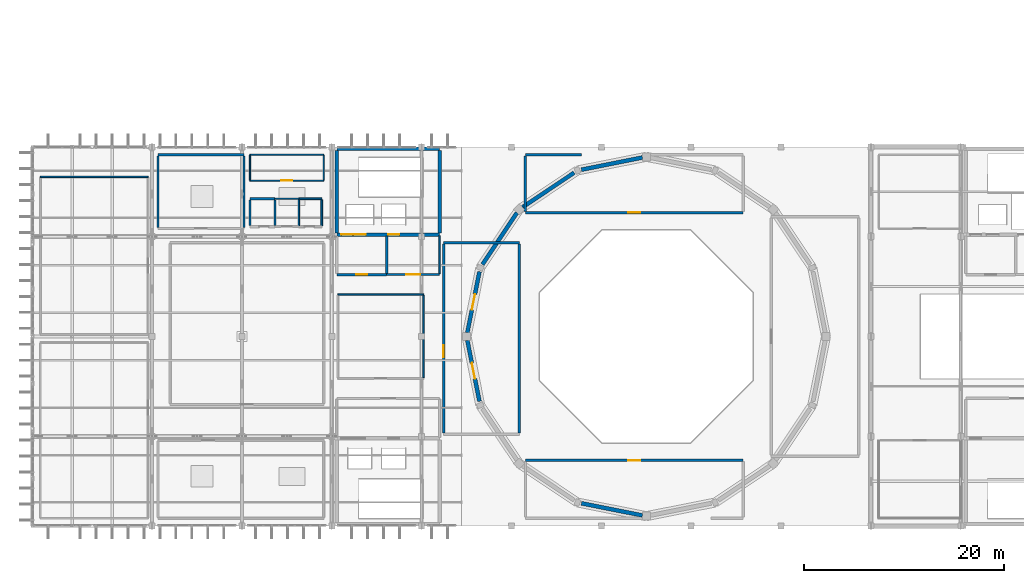
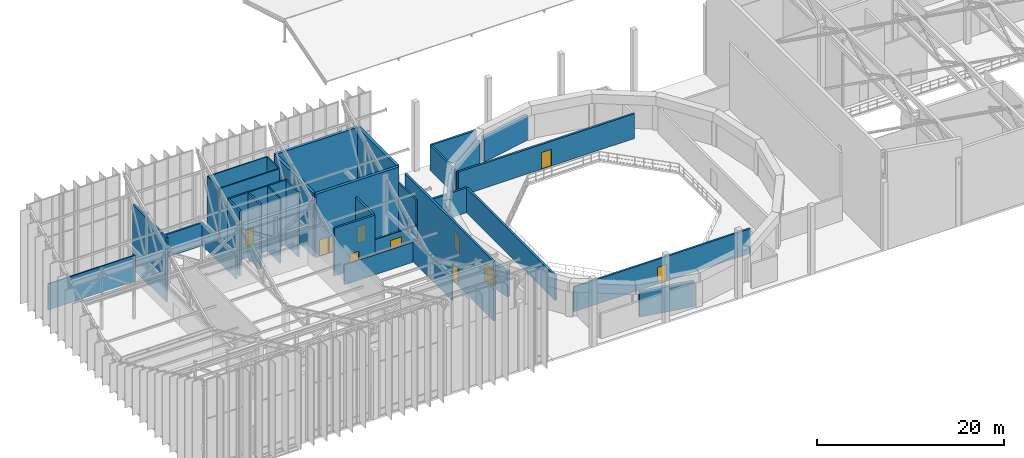
# One storey, part 62 of 68: 38 walls, 11 doors, 11 openings.
"""IFC4 building model written with IfcOpenShell, lengths in metres."""

from ifc_helpers import new_model, si_unit, direction, frame, frame_2d, origin, place, context, subcontext, project, spatial, rectangle, extrude, material, layer, layer_set, type_object, element, fill, save


model = new_model("IFC4")

# Units and contexts
model_context = context("Model", 3, precision=1e-05, world=origin(), true_north=direction((0.0, 1.0)))
body_context = subcontext(model_context, "Body", "Model", "MODEL_VIEW")
ifc_project = project(units=[si_unit("LENGTHUNIT", "METRE"), si_unit("AREAUNIT", "SQUARE_METRE"), si_unit("VOLUMEUNIT", "CUBIC_METRE"), si_unit("PLANEANGLEUNIT", "RADIAN"), si_unit("MASSUNIT", "GRAM", prefix="KILO")], contexts=[model_context])

# Site, building, storey
site_placement = place(None, origin())
site = spatial("IfcSite", under=ifc_project, at=site_placement, CompositionType="ELEMENT")
building_placement = place(site_placement, origin())
building = spatial("IfcBuilding", under=site, at=building_placement, Name="Miravela Opera House", CompositionType="ELEMENT")
storey_placement = place(building_placement, frame((0.0, 0.0, 21.760009765625)))
storey = spatial("IfcBuildingStorey", under=building, at=storey_placement, Name="L05", CompositionType="ELEMENT", Elevation=21.760009765625)

# Walls
ifc_material_1 = material(Name="Sanitary chase acoustic plumbing wall")
ifc_layer_1 = layer(ifc_material_1, 0.139892578125)
ifc_layer_set_1 = layer_set([ifc_layer_1])
wall_type_1 = type_object("IfcWallType", Name="ARC-PLW-150", PredefinedType="PLUMBINGWALL", material=ifc_layer_set_1)
wall_1_placement = place(storey_placement, frame((39.300048828125, 69.800048828125, 0.0), z_axis=(0.0, 0.0, 1.0), x_axis=(1.0, 0.0, 0.0)))
element("IfcWall", 1, at=wall_1_placement, inside=storey, type_object=wall_type_1, Name="Female Public WC L05 Partition North", PredefinedType="PLUMBINGWALL", context=body_context, shape_type="SweptSolid", body=[
    extrude(rectangle(XDim=2.39990234375, YDim=0.139892578125, at=frame_2d((1.199951171875, 0.0))), origin(), (0.0, 0.0, 1.0), 8.5205078125),
])
wall_2_placement = place(storey_placement, frame((41.699951171875, 67.070068359375, 0.0), z_axis=(0.0, 0.0, 1.0), x_axis=(0.0, 1.0, 0.0)))
element("IfcWall", 2, at=wall_2_placement, inside=storey, type_object=wall_type_1, Name="Female Public WC L05 Partition East", PredefinedType="PLUMBINGWALL", context=body_context, shape_type="SweptSolid", body=[
    extrude(rectangle(XDim=2.659912109375, YDim=0.139892578125, at=frame_2d((1.330078125, 0.0))), origin(), (0.0, 0.0, 1.0), 8.5205078125),
])
ifc_material_2 = material(Name="Public washroom wet-service chase wall")
ifc_layer_2 = layer(ifc_material_2, 0.179931640625)
ifc_layer_set_2 = layer_set([ifc_layer_2])
wall_type_2 = type_object("IfcWallType", Name="ARC-PLW-180", PredefinedType="PLUMBINGWALL", material=ifc_layer_set_2)
wall_3_placement = place(storey_placement, frame((41.699951171875, 69.800048828125, 0.0), z_axis=(0.0, 0.0, 1.0), x_axis=(1.0, 0.0, 0.0)))
element("IfcWall", 3, at=wall_3_placement, inside=storey, type_object=wall_type_2, Name="Male Public WC L05 Partition North", PredefinedType="PLUMBINGWALL", context=body_context, shape_type="SweptSolid", body=[
    extrude(rectangle(XDim=2.300048828125, YDim=0.179931640625, at=frame_2d((1.14990234375, 0.0))), origin(), (0.0, 0.0, 1.0), 8.5205078125),
])
wall_4_placement = place(storey_placement, frame((44.0, 67.090087890625, 0.0), z_axis=(0.0, 0.0, 1.0), x_axis=(0.0, 1.0, 0.0)))
element("IfcWall", 4, at=wall_4_placement, inside=storey, type_object=wall_type_2, Name="Male Public WC L05 Partition East", PredefinedType="PLUMBINGWALL", context=body_context, shape_type="SweptSolid", body=[
    extrude(rectangle(XDim=2.619873046875, YDim=0.179931640625, at=frame_2d((1.31005859375, 0.0))), origin(), (0.0, 0.0, 1.0), 8.5205078125),
])
ifc_material_3 = material(Name="Dressing suite sanitary chase wall")
ifc_layer_3 = layer(ifc_material_3, 0.219970703125)
ifc_layer_set_3 = layer_set([ifc_layer_3])
wall_type_3 = type_object("IfcWallType", Name="ARC-PLW-215", PredefinedType="PLUMBINGWALL", material=ifc_layer_set_3)
wall_5_placement = place(storey_placement, frame((36.800048828125, 69.800048828125, 0.0), z_axis=(0.0, 0.0, 1.0), x_axis=(1.0, 0.0, 0.0)))
element("IfcWall", 5, at=wall_5_placement, inside=storey, type_object=wall_type_3, Name="Accessible WC L05 Partition North", PredefinedType="PLUMBINGWALL", context=body_context, shape_type="SweptSolid", body=[
    extrude(rectangle(XDim=2.5, YDim=0.219970703125, at=frame_2d((1.25, 0.0))), origin(), (0.0, 0.0, 1.0), 8.5205078125),
])
for number, where, z_axis, x_axis, name in (
    (6, (36.800048828125, 67.110107421875, 0.0), (0.0, 0.0, 1.0), (0.0, 1.0, 0.0), "Accessible WC L05 Partition West"),
    (7, (39.300048828125, 67.110107421875, 0.0), (0.0, 0.0, 1.0), (0.0, 1.0, 0.0), "Accessible WC L05 Partition East"),
):
    element("IfcWall", number, at=place(storey_placement, frame(where, z_axis=z_axis, x_axis=x_axis)), inside=storey, type_object=wall_type_3, Name=name, PredefinedType="PLUMBINGWALL", context=body_context, shape_type="SweptSolid", body=[
        extrude(rectangle(XDim=2.579833984375, YDim=0.219970703125, at=frame_2d((1.2900390625, 0.0))), origin(), (0.0, 0.0, 1.0), 8.5205078125),
    ])

# Wall, opening, door
ifc_material_4 = material(Name="Fire-rated acoustic gypsum partition")
ifc_layer_4 = layer(ifc_material_4, 0.1298828125)
ifc_layer_set_4 = layer_set([ifc_layer_4])
wall_type_4 = type_object("IfcWallType", Name="ARC-PT-130", PredefinedType="PARTITIONING", material=ifc_layer_set_4)
wall_6_placement = place(storey_placement, frame((36.800048828125, 71.60009765625, 0.0), z_axis=(0.0, 0.0, 1.0), x_axis=(1.0, 0.0, 0.0)))
wall_6 = element("IfcWall", 8, at=wall_6_placement, inside=storey, type_object=wall_type_4, Name="Historical Costume Sketch Reading Room Partition South", PredefinedType="PARTITIONING", context=body_context, shape_type="SweptSolid", body=[
    extrude(rectangle(XDim=7.39990234375, YDim=0.1298828125, at=frame_2d((3.699951171875, 0.0))), origin(), (0.0, 0.0, 1.0), 8.780029296875),
])
opening_1_placement = place(wall_6_placement, frame((3.14990234375, 0.0, 0.0)))
opening_1 = element("IfcOpeningElement", 9, at=opening_1_placement, cuts=wall_6, Name="Opening ID-03", PredefinedType="OPENING", context=body_context, shape_type="SweptSolid", body=[
    extrude(rectangle(XDim=1.10009765625, YDim=2.199951171875, at=frame_2d((0.550048828125, 1.10009765625))), frame((0.0, 0.074951171875, 0.0), z_axis=(0.0, -1.0, 0.0), x_axis=(1.0, 0.0, 0.0)), (0.0, 0.0, 1.0), 0.14990234375),
])
ifc_material_5 = material(Name="Acoustic hardwood studio door", Category="wood")
door_type_1 = type_object("IfcDoorType", Name="ARC-DR-1100X2200", OperationType="NOTDEFINED", PredefinedType="DOOR", material=ifc_material_5)
door_1_placement = place(opening_1_placement, frame((1.10009765625, 0.0, 0.0), z_axis=(0.0, 0.0, 1.0), x_axis=(-1.0, 0.0, 0.0)))
door_1 = element("IfcDoor", 10, at=door_1_placement, inside=storey, type_object=door_type_1, Name="Historical Costume Sketch Reading Room Entry Door IDR-L05-0345", OperationType="SINGLE_SWING_RIGHT", OverallHeight=2.199951171875, OverallWidth=1.10009765625, PredefinedType="DOOR", context=body_context, shape_type="SweptSolid", body=[
    extrude(rectangle(XDim=1.10009765625, YDim=2.199951171875, at=frame_2d((0.550048828125, 1.10009765625))), frame((0.0, 0.02490234375, 0.0), z_axis=(0.0, -1.0, 0.0), x_axis=(1.0, 0.0, 0.0)), (0.0, 0.0, 1.0), 0.050048828125),
])
fill(opening_1, door_1)

# Walls
wall_7_placement = place(storey_placement, frame((36.800048828125, 74.199951171875, 0.0), z_axis=(0.0, 0.0, 1.0), x_axis=(1.0, 0.0, 0.0)))
element("IfcWall", 11, at=wall_7_placement, inside=storey, type_object=wall_type_4, Name="Historical Costume Sketch Reading Room Partition North", PredefinedType="PARTITIONING", context=body_context, shape_type="SweptSolid", body=[
    extrude(rectangle(XDim=7.39990234375, YDim=0.1298828125, at=frame_2d((3.699951171875, 0.0))), origin(), (0.0, 0.0, 1.0), 8.780029296875),
])
for number, where, z_axis, x_axis, name in (
    (12, (36.800048828125, 71.6650390625, 0.0), (0.0, 0.0, 1.0), (0.0, 1.0, 0.0), "Historical Costume Sketch Reading Room Partition West"),
    (13, (44.199951171875, 71.6650390625, 0.0), (0.0, 0.0, 1.0), (0.0, 1.0, 0.0), "Historical Costume Sketch Reading Room Partition East"),
):
    element("IfcWall", number, at=place(storey_placement, frame(where, z_axis=z_axis, x_axis=x_axis)), inside=storey, type_object=wall_type_4, Name=name, PredefinedType="PARTITIONING", context=body_context, shape_type="SweptSolid", body=[
        extrude(rectangle(XDim=2.469970703125, YDim=0.1298828125, at=frame_2d((1.23486328125, 0.0))), origin(), (0.0, 0.0, 1.0), 8.780029296875),
    ])
ifc_material_6 = material(Name="Studio double-stud acoustic partition")
ifc_layer_5 = layer(ifc_material_6, 0.14990234375)
ifc_layer_set_5 = layer_set([ifc_layer_5])
wall_type_5 = type_object("IfcWallType", Name="ARC-PT-145", PredefinedType="PARTITIONING", material=ifc_layer_set_5)
wall_8_placement = place(storey_placement, frame((15.800048828125, 72.0, 0.0), z_axis=(0.0, 0.0, 1.0), x_axis=(1.0, 0.0, 0.0)))
element("IfcWall", 14, at=wall_8_placement, inside=storey, type_object=wall_type_5, Name="Archival Libretto Reading Room Partition North", PredefinedType="PARTITIONING", context=body_context, shape_type="SweptSolid", body=[
    extrude(rectangle(XDim=10.800048828125, YDim=0.14990234375, at=frame_2d((5.39990234375, 0.0))), origin(), (0.0, 0.0, 1.0), 3.40478515625),
])
wall_9_placement = place(storey_placement, frame((45.60009765625, 60.199951171875, 0.0), z_axis=(0.0, 0.0, 1.0), x_axis=(1.0, 0.0, 0.0)))
element("IfcWall", 15, at=wall_9_placement, inside=storey, type_object=wall_type_5, Name="Stage Automation Archive Office Partition North", PredefinedType="PARTITIONING", context=body_context, shape_type="SweptSolid", body=[
    extrude(rectangle(XDim=8.599853515625, YDim=0.14990234375, at=frame_2d((4.2998046875, 0.0))), origin(), (0.0, 0.0, 1.0), 2.611083984375),
])
wall_10_placement = place(storey_placement, frame((54.199951171875, 51.875, 0.0), z_axis=(0.0, 0.0, 1.0), x_axis=(0.0, 1.0, 0.0)))
element("IfcWall", 16, at=wall_10_placement, inside=storey, type_object=wall_type_5, Name="Stage Automation Archive Office Partition East", PredefinedType="PARTITIONING", context=body_context, shape_type="SweptSolid", body=[
    extrude(rectangle(XDim=8.25, YDim=0.14990234375, at=frame_2d((4.125, 0.0))), origin(), (0.0, 0.0, 1.0), 2.988525390625),
])

# Wall, opening, door
ifc_material_7 = material(Name="Rehearsal isolated acoustic partition")
ifc_layer_6 = layer(ifc_material_7, 0.169921875)
ifc_layer_set_6 = layer_set([ifc_layer_6])
wall_type_6 = type_object("IfcWallType", Name="ARC-PT-170", PredefinedType="PARTITIONING", material=ifc_layer_set_6)
wall_11_placement = place(storey_placement, frame((50.5, 62.199951171875, 0.0), z_axis=(0.0, 0.0, 1.0), x_axis=(1.0, 0.0, 0.0)))
wall_11 = element("IfcWall", 17, at=wall_11_placement, inside=storey, type_object=wall_type_6, Name="Passenger Lift Lobby K1 L05 Partition South", PredefinedType="PARTITIONING", context=body_context, shape_type="SweptSolid", body=[
    extrude(rectangle(XDim=5.300048828125, YDim=0.169921875, at=frame_2d((2.64990234375, 0.0))), origin(), (0.0, 0.0, 1.0), 2.988525390625),
])
opening_2_placement = place(wall_11_placement, frame((1.949951171875, 0.0, 0.0)))
opening_2 = element("IfcOpeningElement", 18, at=opening_2_placement, cuts=wall_11, Name="Opening FD-03", PredefinedType="OPENING", context=body_context, shape_type="SweptSolid", body=[
    extrude(rectangle(XDim=1.39990234375, YDim=2.199951171875, at=frame_2d((0.699951171875, 1.10009765625))), frame((0.0, 0.094970703125, 0.0), z_axis=(0.0, -1.0, 0.0), x_axis=(1.0, 0.0, 0.0)), (0.0, 0.0, 1.0), 0.18994140625),
])
ifc_material_8 = material(Name="Fire-rated lobby/archive double door")
door_type_2 = type_object("IfcDoorType", Name="ARC-FD-1400X2200", OperationType="NOTDEFINED", PredefinedType="DOOR", material=ifc_material_8)
door_2_placement = place(opening_2_placement, frame((1.39990234375, 0.0, 0.0), z_axis=(0.0, 0.0, 1.0), x_axis=(-1.0, 0.0, 0.0)))
door_2 = element("IfcDoor", 19, at=door_2_placement, inside=storey, type_object=door_type_2, Name="Passenger Lift Lobby K1 L05 Entry Door IDR-L05-0324", OperationType="DOUBLE_DOOR_SINGLE_SWING", OverallHeight=2.199951171875, OverallWidth=1.39990234375, PredefinedType="DOOR", context=body_context, shape_type="SweptSolid", body=[
    extrude(rectangle(XDim=1.39990234375, YDim=2.199951171875, at=frame_2d((0.699951171875, 1.10009765625))), frame((0.0, 0.02490234375, 0.0), z_axis=(0.0, -1.0, 0.0), x_axis=(1.0, 0.0, 0.0)), (0.0, 0.0, 1.0), 0.050048828125),
])
fill(opening_2, door_2)

# Wall
wall_12_placement = place(storey_placement, frame((55.800048828125, 62.284912109375, 0.0), z_axis=(0.0, 0.0, 1.0), x_axis=(0.0, 1.0, 0.0)))
element("IfcWall", 20, at=wall_12_placement, inside=storey, type_object=wall_type_6, Name="Passenger Lift Lobby K1 L05 Partition East", PredefinedType="PARTITIONING", context=body_context, shape_type="SweptSolid", body=[
    extrude(rectangle(XDim=3.830078125, YDim=0.169921875, at=frame_2d((1.9150390625, 0.0))), origin(), (0.0, 0.0, 1.0), 6.246826171875),
])

# Wall, opening, door
ifc_material_9 = material(Name="High-STC auditorium lobby partition")
ifc_layer_7 = layer(ifc_material_9, 0.22998046875)
ifc_layer_set_7 = layer_set([ifc_layer_7])
wall_type_7 = type_object("IfcWallType", Name="ARC-PT-205", PredefinedType="PARTITIONING", material=ifc_layer_set_7)
wall_13_placement = place(storey_placement, frame((64.39990234375, 43.60009765625, 0.0), z_axis=(0.0, 0.0, 1.0), x_axis=(1.0, 0.0, 0.0)))
wall_13 = element("IfcWall", 21, at=wall_13_placement, inside=storey, type_object=wall_type_7, Name="Stage Surtitle Projection and Cueing Studio Partition North", PredefinedType="PARTITIONING", context=body_context, shape_type="SweptSolid", body=[
    extrude(rectangle(XDim=21.800048828125, YDim=0.22998046875, at=frame_2d((10.89990234375, 0.0))), origin(), (0.0, 0.0, 1.0), 3.239990234375),
])
opening_3_placement = place(wall_13_placement, frame((10.300048828125, 0.0, 0.0)))
opening_3 = element("IfcOpeningElement", 22, at=opening_3_placement, cuts=wall_13, Name="Opening FD-02", PredefinedType="OPENING", context=body_context, shape_type="SweptSolid", body=[
    extrude(rectangle(XDim=1.199951171875, YDim=2.199951171875, at=frame_2d((0.60009765625, 1.10009765625))), frame((0.0, 0.125, 0.0), z_axis=(0.0, -1.0, 0.0), x_axis=(1.0, 0.0, 0.0)), (0.0, 0.0, 1.0), 0.25),
])
ifc_material_10 = material(Name="Fire-rated gallery/plant exit door")
door_type_3 = type_object("IfcDoorType", Name="ARC-FD-1200X2200", OperationType="NOTDEFINED", PredefinedType="DOOR", material=ifc_material_10)
door_3_placement = place(opening_3_placement, origin())
door_3 = element("IfcDoor", 23, at=door_3_placement, inside=storey, type_object=door_type_3, Name="Stage Surtitle Projection and Cueing Studio Entry Door IDR-L05-0341", OperationType="SINGLE_SWING_RIGHT", OverallHeight=2.199951171875, OverallWidth=1.199951171875, PredefinedType="DOOR", context=body_context, shape_type="SweptSolid", body=[
    extrude(rectangle(XDim=1.199951171875, YDim=2.199951171875, at=frame_2d((0.60009765625, 1.10009765625))), frame((0.0, 0.02490234375, 0.0), z_axis=(0.0, -1.0, 0.0), x_axis=(1.0, 0.0, 0.0)), (0.0, 0.0, 1.0), 0.050048828125),
])
fill(opening_3, door_3)

# Walls
ifc_material_11 = material(Name="Workshop fire-resisting block partition")
ifc_layer_8 = layer(ifc_material_11, 0.2099609375)
ifc_layer_set_8 = layer_set([ifc_layer_8])
wall_type_8 = type_object("IfcWallType", Name="ARC-PT-210", PredefinedType="PARTITIONING", material=ifc_layer_set_8)
wall_14_placement = place(storey_placement, frame((27.60009765625, 74.199951171875, 0.0), z_axis=(0.0, 0.0, 1.0), x_axis=(1.0, 0.0, 0.0)))
element("IfcWall", 24, at=wall_14_placement, inside=storey, type_object=wall_type_8, Name="Electro-Acoustic Laboratory Studio Partition North", PredefinedType="PARTITIONING", context=body_context, shape_type="SweptSolid", body=[
    extrude(rectangle(XDim=8.599853515625, YDim=0.2099609375, at=frame_2d((4.2998046875, 0.0))), origin(), (0.0, 0.0, 1.0), 2.988525390625),
])
wall_15_placement = place(storey_placement, frame((27.60009765625, 66.905029296875, 0.0), z_axis=(0.0, 0.0, 1.0), x_axis=(0.0, 1.0, 0.0)))
element("IfcWall", 25, at=wall_15_placement, inside=storey, type_object=wall_type_8, Name="Electro-Acoustic Laboratory Studio Partition West", PredefinedType="PARTITIONING", context=body_context, shape_type="SweptSolid", body=[
    extrude(rectangle(XDim=7.18994140625, YDim=0.2099609375, at=frame_2d((3.594970703125, 0.0))), origin(), (0.0, 0.0, 1.0), 8.42578125),
])
wall_16_placement = place(storey_placement, frame((36.199951171875, 66.905029296875, 0.0), z_axis=(0.0, 0.0, 1.0), x_axis=(0.0, 1.0, 0.0)))
element("IfcWall", 26, at=wall_16_placement, inside=storey, type_object=wall_type_8, Name="Electro-Acoustic Laboratory Studio Partition East", PredefinedType="PARTITIONING", context=body_context, shape_type="SweptSolid", body=[
    extrude(rectangle(XDim=7.18994140625, YDim=0.2099609375, at=frame_2d((3.594970703125, 0.0))), origin(), (0.0, 0.0, 1.0), 2.988525390625),
])

# Wall, opening, door
ifc_material_12 = material(Name="Firefighting lobby compartment wall")
ifc_layer_9 = layer(ifc_material_12, 0.25)
ifc_layer_set_9 = layer_set([ifc_layer_9])
wall_type_9 = type_object("IfcWallType", Name="ARC-PT-220", PredefinedType="PARTITIONING", material=ifc_layer_set_9)
wall_17_placement = place(storey_placement, frame((45.5, 62.199951171875, 0.0), z_axis=(0.0, 0.0, 1.0), x_axis=(1.0, 0.0, 0.0)))
wall_17 = element("IfcWall", 27, at=wall_17_placement, inside=storey, type_object=wall_type_9, Name="Firefighting Lobby K1 L05 Partition South", PredefinedType="PARTITIONING", context=body_context, shape_type="SweptSolid", body=[
    extrude(rectangle(XDim=5.0, YDim=0.25, at=frame_2d((2.5, 0.0))), origin(), (0.0, 0.0, 1.0), 6.246826171875),
])
opening_4_placement = place(wall_17_placement, frame((1.949951171875, 0.0, 0.0)))
opening_4 = element("IfcOpeningElement", 28, at=opening_4_placement, cuts=wall_17, Name="Opening FD-01", PredefinedType="OPENING", context=body_context, shape_type="SweptSolid", body=[
    extrude(rectangle(XDim=1.10009765625, YDim=2.199951171875, at=frame_2d((0.550048828125, 1.10009765625))), frame((0.0, 0.135009765625, 0.0), z_axis=(0.0, -1.0, 0.0), x_axis=(1.0, 0.0, 0.0)), (0.0, 0.0, 1.0), 0.27001953125),
])
ifc_material_13 = material(Name="Fire-rated steel/hardwood exit stair door", Category="steel")
door_type_4 = type_object("IfcDoorType", Name="ARC-FD-1100X2200", OperationType="NOTDEFINED", PredefinedType="DOOR", material=ifc_material_13)
door_4_placement = place(opening_4_placement, frame((1.10009765625, 0.0, 0.0), z_axis=(0.0, 0.0, 1.0), x_axis=(-1.0, 0.0, 0.0)))
door_4 = element("IfcDoor", 29, at=door_4_placement, inside=storey, type_object=door_type_4, Name="Firefighting Lobby K1 L05 Entry Door IDR-L05-0323", OperationType="SINGLE_SWING_LEFT", OverallHeight=2.199951171875, OverallWidth=1.10009765625, PredefinedType="DOOR", context=body_context, shape_type="SweptSolid", body=[
    extrude(rectangle(XDim=1.10009765625, YDim=2.199951171875, at=frame_2d((0.550048828125, 1.10009765625))), frame((0.0, 0.02490234375, 0.0), z_axis=(0.0, -1.0, 0.0), x_axis=(1.0, 0.0, 0.0)), (0.0, 0.0, 1.0), 0.050048828125),
])
fill(opening_4, door_4)

# Walls
wall_18_placement = place(storey_placement, frame((50.5, 62.324951171875, 0.0), z_axis=(0.0, 0.0, 1.0), x_axis=(0.0, 1.0, 0.0)))
element("IfcWall", 30, at=wall_18_placement, inside=storey, type_object=wall_type_9, Name="Firefighting Lobby K1 L05 Partition East", PredefinedType="PARTITIONING", context=body_context, shape_type="SweptSolid", body=[
    extrude(rectangle(XDim=3.75, YDim=0.25, at=frame_2d((1.875, 0.0))), origin(), (0.0, 0.0, 1.0), 6.246826171875),
])
wall_19_placement = place(storey_placement, frame((56.199951171875, 65.39990234375, 0.0), z_axis=(0.0, 0.0, 1.0), x_axis=(1.0, 0.0, 0.0)))
element("IfcWall", 31, at=wall_19_placement, inside=storey, type_object=wall_type_9, Name="Auditorium Followspot Control Room Partition North", PredefinedType="PARTITIONING", context=body_context, shape_type="SweptSolid", body=[
    extrude(rectangle(XDim=7.60009765625, YDim=0.25, at=frame_2d((3.800048828125, 0.0))), origin(), (0.0, 0.0, 1.0), 3.239990234375),
])

# Wall, opening, door
wall_20_placement = place(storey_placement, frame((56.199951171875, 46.324951171875, 0.0), z_axis=(0.0, 0.0, 1.0), x_axis=(0.0, 1.0, 0.0)))
wall_20 = element("IfcWall", 32, at=wall_20_placement, inside=storey, type_object=wall_type_9, Name="Auditorium Followspot Control Room Partition West", PredefinedType="PARTITIONING", context=body_context, shape_type="SweptSolid", body=[
    extrude(rectangle(XDim=18.949951171875, YDim=0.25, at=frame_2d((9.47509765625, 0.0))), origin(), (0.0, 0.0, 1.0), 7.7626953125),
])
opening_5_placement = place(wall_20_placement, frame((7.606689453125, 0.0, 0.0)))
opening_5 = element("IfcOpeningElement", 33, at=opening_5_placement, cuts=wall_20, Name="Opening FD-02", PredefinedType="OPENING", context=body_context, shape_type="SweptSolid", body=[
    extrude(rectangle(XDim=1.199951171875, YDim=2.199951171875, at=frame_2d((0.60009765625, 1.10009765625))), frame((0.0, 0.135009765625, 0.0), z_axis=(0.0, -1.0, 0.0), x_axis=(1.0, 0.0, 0.0)), (0.0, 0.0, 1.0), 0.27001953125),
])
door_5_placement = place(opening_5_placement, origin())
door_5 = element("IfcDoor", 34, at=door_5_placement, inside=storey, type_object=door_type_3, Name="Auditorium Followspot Control Room Entry Door IDR-L05-0336", OperationType="SINGLE_SWING_RIGHT", OverallHeight=2.199951171875, OverallWidth=1.199951171875, PredefinedType="DOOR", context=body_context, shape_type="SweptSolid", body=[
    extrude(rectangle(XDim=1.199951171875, YDim=2.199951171875, at=frame_2d((0.60009765625, 1.10009765625))), frame((0.0, 0.02490234375, 0.0), z_axis=(0.0, -1.0, 0.0), x_axis=(1.0, 0.0, 0.0)), (0.0, 0.0, 1.0), 0.050048828125),
])
fill(opening_5, door_5)

# Wall
wall_21_placement = place(storey_placement, frame((63.800048828125, 46.324951171875, 0.0), z_axis=(0.0, 0.0, 1.0), x_axis=(0.0, 1.0, 0.0)))
element("IfcWall", 35, at=wall_21_placement, inside=storey, type_object=wall_type_9, Name="Auditorium Followspot Control Room Partition East", PredefinedType="PARTITIONING", context=body_context, shape_type="SweptSolid", body=[
    extrude(rectangle(XDim=18.949951171875, YDim=0.25, at=frame_2d((9.47509765625, 0.0))), origin(), (0.0, 0.0, 1.0), 3.239990234375),
])

# Wall, opening, door
wall_22_placement = place(storey_placement, frame((64.39990234375, 68.39990234375, 0.0), z_axis=(0.0, 0.0, 1.0), x_axis=(1.0, 0.0, 0.0)))
wall_22 = element("IfcWall", 36, at=wall_22_placement, inside=storey, type_object=wall_type_9, Name="Orchestral Recording Control Room Partition South", PredefinedType="PARTITIONING", context=body_context, shape_type="SweptSolid", body=[
    extrude(rectangle(XDim=21.800048828125, YDim=0.25, at=frame_2d((10.89990234375, 0.0))), origin(), (0.0, 0.0, 1.0), 3.239990234375),
])
opening_6_placement = place(wall_22_placement, frame((10.300048828125, 0.0, 0.0)))
opening_6 = element("IfcOpeningElement", 37, at=opening_6_placement, cuts=wall_22, Name="Opening FD-02", PredefinedType="OPENING", context=body_context, shape_type="SweptSolid", body=[
    extrude(rectangle(XDim=1.199951171875, YDim=2.199951171875, at=frame_2d((0.60009765625, 1.10009765625))), frame((0.0, 0.135009765625, 0.0), z_axis=(0.0, -1.0, 0.0), x_axis=(1.0, 0.0, 0.0)), (0.0, 0.0, 1.0), 0.27001953125),
])
door_6_placement = place(opening_6_placement, frame((1.199951171875, 0.0, 0.0), z_axis=(0.0, 0.0, 1.0), x_axis=(-1.0, 0.0, 0.0)))
door_6 = element("IfcDoor", 38, at=door_6_placement, inside=storey, type_object=door_type_3, Name="Orchestral Recording Control Room Entry Door IDR-L05-0342", OperationType="SINGLE_SWING_LEFT", OverallHeight=2.199951171875, OverallWidth=1.199951171875, PredefinedType="DOOR", context=body_context, shape_type="SweptSolid", body=[
    extrude(rectangle(XDim=1.199951171875, YDim=2.199951171875, at=frame_2d((0.60009765625, 1.10009765625))), frame((0.0, 0.02490234375, 0.0), z_axis=(0.0, -1.0, 0.0), x_axis=(1.0, 0.0, 0.0)), (0.0, 0.0, 1.0), 0.050048828125),
])
fill(opening_6, door_6)

# Walls
wall_23_placement = place(storey_placement, frame((64.39990234375, 74.199951171875, 0.0), z_axis=(0.0, 0.0, 1.0), x_axis=(1.0, 0.0, 0.0)))
element("IfcWall", 39, at=wall_23_placement, inside=storey, type_object=wall_type_9, Name="Orchestral Recording Control Room Partition North 1", PredefinedType="PARTITIONING", context=body_context, shape_type="SweptSolid", body=[
    extrude(rectangle(XDim=5.60400390625, YDim=0.25, at=frame_2d((2.802001953125, 0.0))), origin(), (0.0, 0.0, 1.0), 3.239990234375),
])
wall_24_placement = place(storey_placement, frame((64.39990234375, 68.52490234375, 0.0), z_axis=(0.0, 0.0, 1.0), x_axis=(0.0, 1.0, 0.0)))
element("IfcWall", 40, at=wall_24_placement, inside=storey, type_object=wall_type_9, Name="Orchestral Recording Control Room Partition West", PredefinedType="PARTITIONING", context=body_context, shape_type="SweptSolid", body=[
    extrude(rectangle(XDim=5.550048828125, YDim=0.25, at=frame_2d((2.77490234375, 0.0))), origin(), (0.0, 0.0, 1.0), 3.239990234375),
])

# Wall, openings, doors
ifc_material_14 = material(Name="Concrete C40/50", Category="concrete")
ifc_layer_10 = layer(ifc_material_14, 0.35009765625)
ifc_layer_set_10 = layer_set([ifc_layer_10])
wall_type_10 = type_object("IfcWallType", Name="STR-WALL-CORE-350", PredefinedType="SHEAR", material=ifc_layer_set_10)
wall_25_placement = place(storey_placement, frame((45.5, 66.199951171875, 0.0), z_axis=(0.0, 0.0, 1.0), x_axis=(1.0, 0.0, 0.0)))
wall_25 = element("IfcWall", 41, at=wall_25_placement, inside=storey, type_object=wall_type_10, Name="Core K1 Shear Wall South (L05)", PredefinedType="SHEAR", context=body_context, shape_type="SweptSolid", body=[
    extrude(rectangle(XDim=10.300048828125, YDim=0.35009765625, at=frame_2d((5.14990234375, 0.0))), origin(), (0.0, 0.0, 1.0), 8.3115234375),
])
opening_7_placement = place(wall_25_placement, frame((0.449951171875, 0.0, 0.0)))
opening_7 = element("IfcOpeningElement", 42, at=opening_7_placement, cuts=wall_25, Name="Opening FD-01", PredefinedType="OPENING", context=body_context, shape_type="SweptSolid", body=[
    extrude(rectangle(XDim=1.10009765625, YDim=2.199951171875, at=frame_2d((0.550048828125, 1.10009765625))), frame((0.0, 0.18505859375, 0.0), z_axis=(0.0, -1.0, 0.0), x_axis=(1.0, 0.0, 0.0)), (0.0, 0.0, 1.0), 0.3701171875),
])
opening_8_placement = place(wall_25_placement, frame((1.68994140625, 0.0, 0.0)))
opening_8 = element("IfcOpeningElement", 43, at=opening_8_placement, cuts=wall_25, Name="Opening LD-01", PredefinedType="OPENING", context=body_context, shape_type="SweptSolid", body=[
    extrude(rectangle(XDim=1.219970703125, YDim=2.199951171875, at=frame_2d((0.60986328125, 1.10009765625))), frame((0.0, 0.18505859375, 0.0), z_axis=(0.0, -1.0, 0.0), x_axis=(1.0, 0.0, 0.0)), (0.0, 0.0, 1.0), 0.3701171875),
])
opening_9_placement = place(wall_25_placement, frame((5.139892578125, 0.0, 0.0)))
opening_9 = element("IfcOpeningElement", 44, at=opening_9_placement, cuts=wall_25, Name="Opening LD-02", PredefinedType="OPENING", context=body_context, shape_type="SweptSolid", body=[
    extrude(rectangle(XDim=1.1201171875, YDim=2.159912109375, at=frame_2d((0.56005859375, 1.080078125))), frame((0.0, 0.18505859375, 0.0), z_axis=(0.0, -1.0, 0.0), x_axis=(1.0, 0.0, 0.0)), (0.0, 0.0, 1.0), 0.3701171875),
])
door_7_placement = place(opening_7_placement, origin())
door_7 = element("IfcDoor", 45, at=door_7_placement, inside=storey, type_object=door_type_4, Name="Exit Stair ST-01 Rated Door (L05) IDR-L05-0007", OperationType="SINGLE_SWING_LEFT", OverallHeight=2.199951171875, OverallWidth=1.10009765625, PredefinedType="DOOR", context=body_context, shape_type="SweptSolid", body=[
    extrude(rectangle(XDim=1.10009765625, YDim=2.199951171875, at=frame_2d((0.550048828125, 1.10009765625))), frame((0.0, 0.02490234375, 0.0), z_axis=(0.0, -1.0, 0.0), x_axis=(1.0, 0.0, 0.0)), (0.0, 0.0, 1.0), 0.050048828125),
])
fill(opening_7, door_7)
ifc_material_15 = material(Name="Brushed stainless and bronze fire-rated lift landing door")
door_type_5 = type_object("IfcDoorType", Name="ARC-LD-FFL-1200X2200", OperationType="SLIDING_TO_LEFT", PredefinedType="DOOR", material=ifc_material_15)
door_8_placement = place(opening_8_placement, origin())
door_8 = element("IfcDoor", 46, at=door_8_placement, inside=storey, type_object=door_type_5, Name="Lift Landing Door FFL-01 (L05)", OperationType="SLIDING_TO_LEFT", OverallHeight=2.199951171875, OverallWidth=1.219970703125, PredefinedType="DOOR", context=body_context, shape_type="SweptSolid", body=[
    extrude(rectangle(XDim=1.219970703125, YDim=2.199951171875, at=frame_2d((0.60986328125, 1.10009765625))), frame((0.0, 0.02490234375, 0.0), z_axis=(0.0, -1.0, 0.0), x_axis=(1.0, 0.0, 0.0)), (0.0, 0.0, 1.0), 0.050048828125),
])
fill(opening_8, door_8)
door_type_6 = type_object("IfcDoorType", Name="ARC-LD-PAX-1100X2150", OperationType="SLIDING_TO_LEFT", PredefinedType="DOOR", material=ifc_material_15)
door_9_placement = place(opening_9_placement, origin())
door_9 = element("IfcDoor", 47, at=door_9_placement, inside=storey, type_object=door_type_6, Name="Lift Landing Door PL-01 (L05)", OperationType="SLIDING_TO_LEFT", OverallHeight=2.159912109375, OverallWidth=1.1201171875, PredefinedType="DOOR", context=body_context, shape_type="SweptSolid", body=[
    extrude(rectangle(XDim=1.1201171875, YDim=2.159912109375, at=frame_2d((0.56005859375, 1.080078125))), frame((0.0, 0.02490234375, 0.0), z_axis=(0.0, -1.0, 0.0), x_axis=(1.0, 0.0, 0.0)), (0.0, 0.0, 1.0), 0.050048828125),
])
fill(opening_9, door_9)

# Walls
wall_26_placement = place(storey_placement, frame((45.5, 74.800048828125, 0.0), z_axis=(0.0, 0.0, 1.0), x_axis=(1.0, 0.0, 0.0)))
element("IfcWall", 48, at=wall_26_placement, inside=storey, type_object=wall_type_10, Name="Core K1 Shear Wall North (L05)", PredefinedType="SHEAR", context=body_context, shape_type="SweptSolid", body=[
    extrude(rectangle(XDim=10.300048828125, YDim=0.35009765625, at=frame_2d((5.14990234375, 0.0))), origin(), (0.0, 0.0, 1.0), 8.3115234375),
])
for number, where, z_axis, x_axis, name in (
    (49, (45.5, 66.375, 0.0), (0.0, 0.0, 1.0), (0.0, 1.0, 0.0), "Core K1 Shear Wall West (L05)"),
    (50, (55.800048828125, 66.375, 0.0), (0.0, 0.0, 1.0), (0.0, 1.0, 0.0), "Core K1 Shear Wall East (L05)"),
):
    element("IfcWall", number, at=place(storey_placement, frame(where, z_axis=z_axis, x_axis=x_axis)), inside=storey, type_object=wall_type_10, Name=name, PredefinedType="SHEAR", context=body_context, shape_type="SweptSolid", body=[
        extrude(rectangle(XDim=8.25, YDim=0.35009765625, at=frame_2d((4.125, 0.0))), origin(), (0.0, 0.0, 1.0), 8.3115234375),
    ])
ifc_layer_11 = layer(ifc_material_14, 0.39990234375)
ifc_layer_set_11 = layer_set([ifc_layer_11])
wall_type_11 = type_object("IfcWallType", Name="STR-WALL-DRUM-400", PredefinedType="SHEAR", material=ifc_layer_set_11)
wall_27_placement = place(storey_placement, frame((76.107666015625, 73.922119140625, 0.0), z_axis=(0.0, 0.0, 1.0), x_axis=(-0.980777834218, -0.195127752786, 0.0)))
element("IfcWall", 51, at=wall_27_placement, inside=storey, type_object=wall_type_11, Name="Auditorium Drum Shear Wall L05 Seg 5", PredefinedType="SHEAR", context=body_context, shape_type="SweptSolid", body=[
    extrude(rectangle(XDim=6.223388671875, YDim=0.39990234375, at=frame_2d((3.11181640625, 0.0))), origin(), (0.0, 0.0, 1.0), 3.260009765625),
])
for number, where, z_axis, x_axis, name in (
    (52, (69.279052734375, 72.40771484375, 0.0), (0.0, 0.0, 1.0), (-0.831458341015, -0.555587101324, 0.0), "Auditorium Drum Shear Wall L05 Seg 6"),
    (53, (63.5498046875, 68.395263671875, 0.0), (0.0, 0.0, 1.0), (-0.555587101324, -0.831458341015, 0.0), "Auditorium Drum Shear Wall L05 Seg 7"),
):
    element("IfcWall", number, at=place(storey_placement, frame(where, z_axis=z_axis, x_axis=x_axis)), inside=storey, type_object=wall_type_11, Name=name, PredefinedType="SHEAR", context=body_context, shape_type="SweptSolid", body=[
        extrude(rectangle(XDim=6.22314453125, YDim=0.39990234375, at=frame_2d((3.111572265625, 0.0))), origin(), (0.0, 0.0, 1.0), 3.260009765625),
    ])

# Wall, opening, door
wall_28_placement = place(storey_placement, frame((59.792236328125, 62.49609375, 0.0), z_axis=(0.0, 0.0, 1.0), x_axis=(-0.195127752786, -0.980777834218, 0.0)))
wall_28 = element("IfcWall", 54, at=wall_28_placement, inside=storey, type_object=wall_type_11, Name="Auditorium Drum Shear Wall L05 Seg 8", PredefinedType="SHEAR", context=body_context, shape_type="SweptSolid", body=[
    extrude(rectangle(XDim=6.223388671875, YDim=0.39990234375, at=frame_2d((3.11181640625, 0.0))), origin(), (0.0, 0.0, 1.0), 3.260009765625),
])
opening_10_placement = place(wall_28_placement, frame((2.3115234375, 0.0, 0.0)))
opening_10 = element("IfcOpeningElement", 55, at=opening_10_placement, cuts=wall_28, Name="Opening FD-04", PredefinedType="OPENING", context=body_context, shape_type="SweptSolid", body=[
    extrude(rectangle(XDim=1.60009765625, YDim=2.25, at=frame_2d((0.800048828125, 1.125))), frame((0.0, 0.2099609375, 0.0), z_axis=(0.0, -1.0, 0.0), x_axis=(1.0, 0.0, 0.0)), (0.0, 0.0, 1.0), 0.419921875),
])
ifc_material_16 = material(Name="Fire-rated rehearsal/vomitory double door")
door_type_7 = type_object("IfcDoorType", Name="ARC-FD-1600X2250", OperationType="NOTDEFINED", PredefinedType="DOOR", material=ifc_material_16)
door_10_placement = place(opening_10_placement, frame((1.60009765625, 0.0, 0.0), z_axis=(0.0, 0.0, 1.0), x_axis=(-1.0, 0.0, 0.0)))
door_10 = element("IfcDoor", 56, at=door_10_placement, inside=storey, type_object=door_type_7, Name="Auditorium Drum Acoustic Vestibule Door L05-S8 IDR-L05-0368", OperationType="DOUBLE_DOOR_SINGLE_SWING", OverallHeight=2.25, OverallWidth=1.60009765625, PredefinedType="DOOR", context=body_context, shape_type="SweptSolid", body=[
    extrude(rectangle(XDim=1.60009765625, YDim=2.25, at=frame_2d((0.800048828125, 1.125))), frame((0.0, 0.02490234375, 0.0), z_axis=(0.0, -1.0, 0.0), x_axis=(1.0, 0.0, 0.0)), (0.0, 0.0, 1.0), 0.050048828125),
])
fill(opening_10, door_10)

wall_29_placement = place(storey_placement, frame((58.577880859375, 55.607666015625, 0.0), z_axis=(0.0, 0.0, 1.0), x_axis=(0.195127752786, -0.980777834218, 0.0)))
wall_29 = element("IfcWall", 57, at=wall_29_placement, inside=storey, type_object=wall_type_11, Name="Auditorium Drum Shear Wall L05 Seg 9", PredefinedType="SHEAR", context=body_context, shape_type="SweptSolid", body=[
    extrude(rectangle(XDim=6.223388671875, YDim=0.39990234375, at=frame_2d((3.11181640625, 0.0))), origin(), (0.0, 0.0, 1.0), 3.260009765625),
])
opening_11_placement = place(wall_29_placement, frame((2.3115234375, 0.0, 0.0)))
opening_11 = element("IfcOpeningElement", 58, at=opening_11_placement, cuts=wall_29, Name="Opening FD-04", PredefinedType="OPENING", context=body_context, shape_type="SweptSolid", body=[
    extrude(rectangle(XDim=1.60009765625, YDim=2.25, at=frame_2d((0.800048828125, 1.125))), frame((0.0, 0.2099609375, 0.0), z_axis=(0.0, -1.0, 0.0), x_axis=(1.0, 0.0, 0.0)), (0.0, 0.0, 1.0), 0.419921875),
])
door_11_placement = place(opening_11_placement, frame((1.60009765625, 0.0, 0.0), z_axis=(0.0, 0.0, 1.0), x_axis=(-1.0, 0.0, 0.0)))
door_11 = element("IfcDoor", 59, at=door_11_placement, inside=storey, type_object=door_type_7, Name="Auditorium Drum Acoustic Vestibule Door L05-S9 IDR-L05-0369", OperationType="DOUBLE_DOOR_SINGLE_SWING", OverallHeight=2.25, OverallWidth=1.60009765625, PredefinedType="DOOR", context=body_context, shape_type="SweptSolid", body=[
    extrude(rectangle(XDim=1.60009765625, YDim=2.25, at=frame_2d((0.800048828125, 1.125))), frame((0.0, 0.02490234375, 0.0), z_axis=(0.0, -1.0, 0.0), x_axis=(1.0, 0.0, 0.0)), (0.0, 0.0, 1.0), 0.050048828125),
])
fill(opening_11, door_11)

# Wall
wall_30_placement = place(storey_placement, frame((70.00390625, 39.292236328125, 0.0), z_axis=(0.0, 0.0, 1.0), x_axis=(0.980777834218, -0.195127752786, 0.0)))
element("IfcWall", 60, at=wall_30_placement, inside=storey, type_object=wall_type_11, Name="Auditorium Drum Shear Wall L05 Seg 12", PredefinedType="SHEAR", context=body_context, shape_type="SweptSolid", body=[
    extrude(rectangle(XDim=6.223388671875, YDim=0.39990234375, at=frame_2d((3.11181640625, 0.0))), origin(), (0.0, 0.0, 1.0), 3.260009765625),
])

save(model, "model.ifc")
